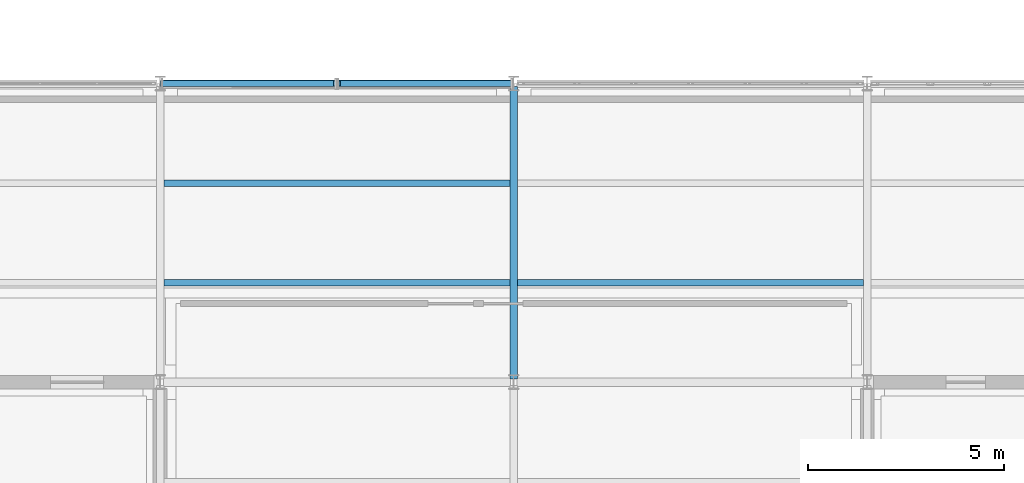
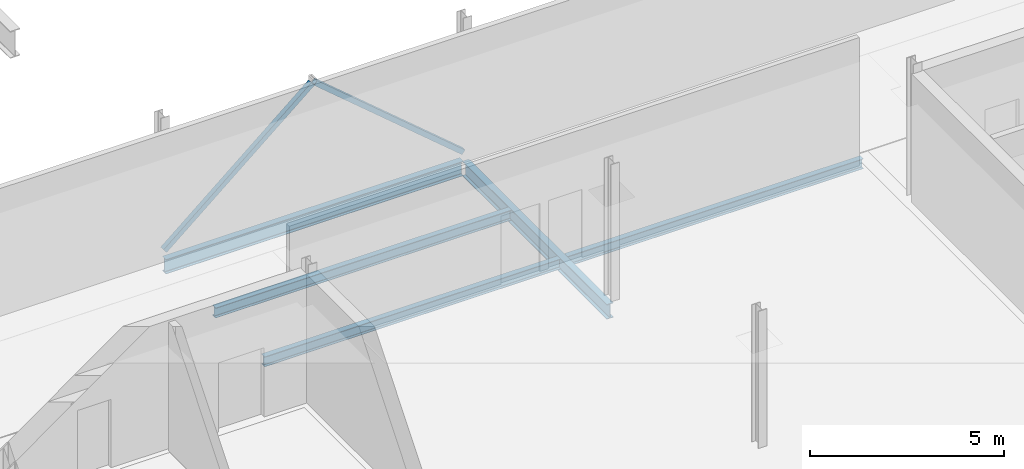
# One storey, part 25 of 96: 5 beams, 2 members.
"""IFC4 building model written with IfcOpenShell, lengths in metres."""

from ifc_helpers import new_model, si_unit, direction, frame, origin, origin_2d, place, context, subcontext, project, spatial, hollow_rectangle, i_section, extrude, material, material_profile, profile_set, type_object, element, save


model = new_model("IFC4")

# Units and contexts
model_context = context("Model", 3, precision=1e-05, world=origin(), true_north=direction((0.0, 1.0)))
body_context = subcontext(model_context, "Body", "Model", "MODEL_VIEW")
ifc_project = project(units=[si_unit("LENGTHUNIT", "METRE"), si_unit("AREAUNIT", "SQUARE_METRE"), si_unit("VOLUMEUNIT", "CUBIC_METRE"), si_unit("PLANEANGLEUNIT", "RADIAN"), si_unit("MASSUNIT", "GRAM", prefix="KILO")], contexts=[model_context])

# Site, building, storey
site_placement = place(None, origin())
site = spatial("IfcSite", under=ifc_project, at=site_placement, CompositionType="ELEMENT")
building_placement = place(site_placement, origin())
building = spatial("IfcBuilding", under=site, at=building_placement, Name="Caisbarro Railhouse Central Library", CompositionType="ELEMENT")
storey_placement = place(building_placement, frame((0.0, 0.0, 13.679931640625)))
storey = spatial("IfcBuildingStorey", under=building, at=storey_placement, Name="L03", CompositionType="ELEMENT", Elevation=13.679931640625)

# Beams
ifc_material = material(Name="Steel ASTM A572 Grade 50", Category="steel")
ifc_material_profile_1 = material_profile(ifc_material, i_section(OverallWidth=0.194091796875, OverallDepth=0.468994140625, WebThickness=0.0126953125, FlangeThickness=0.0205078125, FilletRadius=0.01806640625, at=origin_2d()), Name="W460X106.0")
ifc_profile_set_1 = profile_set([ifc_material_profile_1], Name="Steel ASTM A572 Grade 50")
beam_type_1 = type_object("IfcBeamType", Name="BM-G07", PredefinedType="BEAM", material=ifc_profile_set_1)
beam_1_placement = place(storey_placement, frame((81.0, 15.280029296875, -0.474365234375), z_axis=(0.0, 1.0, 0.0), x_axis=(-1.0, 0.0, 0.0)))
element("IfcBeam", 1, at=beam_1_placement, inside=storey, type_object=beam_type_1, Name="G07 beam L03 #1790", PredefinedType="BEAM", context=body_context, shape_type="SweptSolid", body=[
    extrude(i_section(OverallWidth=0.194091796875, OverallDepth=0.468994140625, WebThickness=0.0126953125, FlangeThickness=0.0205078125, FilletRadius=0.01806640625, at=origin_2d()), origin(), (0.0, 0.0, 1.0), 7.43994140625),
])
ifc_material_profile_2 = material_profile(ifc_material, i_section(OverallWidth=0.1669921875, OverallDepth=0.31689453125, WebThickness=0.007568359375, FlangeThickness=0.01318359375, FilletRadius=0.011962890625, at=origin_2d()), Name="W310X52.0")
ifc_profile_set_2 = profile_set([ifc_material_profile_2], Name="Steel ASTM A572 Grade 50")
beam_type_2 = type_object("IfcBeamType", Name="BM-J02", PredefinedType="JOIST", material=ifc_profile_set_2)
for number, where, z_axis, x_axis, name in (
    (2, (72.096923828125, 17.7333984375, -0.3984375), (1.0, 0.0, 0.0), (0.0, 1.0, 0.0), "J02 beam L03 #1812"),
    (3, (72.096923828125, 20.2666015625, -0.3984375), (1.0, 0.0, 0.0), (0.0, 1.0, 0.0), "J02 beam L03 #1813"),
    (4, (81.096923828125, 17.7333984375, -0.3984375), (1.0, 0.0, 0.0), (0.0, 1.0, 0.0), "J02 beam L03 #1818"),
):
    element("IfcBeam", number, at=place(storey_placement, frame(where, z_axis=z_axis, x_axis=x_axis)), inside=storey, type_object=beam_type_2, Name=name, PredefinedType="JOIST", context=body_context, shape_type="SweptSolid", body=[
        extrude(i_section(OverallWidth=0.1669921875, OverallDepth=0.31689453125, WebThickness=0.007568359375, FlangeThickness=0.01318359375, FilletRadius=0.011962890625, at=origin_2d()), origin(), (0.0, 0.0, 1.0), 8.80615234375),
    ])
ifc_material_profile_3 = material_profile(ifc_material, i_section(OverallWidth=0.18994140625, OverallDepth=0.45703125, WebThickness=0.009033203125, FlangeThickness=0.014404296875, FilletRadius=0.01806640625, at=origin_2d()), Name="W460X74.0")
ifc_profile_set_3 = profile_set([ifc_material_profile_3], Name="Steel ASTM A572 Grade 50")
beam_type_3 = type_object("IfcBeamType", Name="BM-SP01", PredefinedType="SPANDREL", material=ifc_profile_set_3)
beam_2_placement = place(storey_placement, frame((72.080078125, 22.800048828125, -0.468505859375), z_axis=(1.0, 0.0, 0.0), x_axis=(0.0, 1.0, 0.0)))
element("IfcBeam", 5, at=beam_2_placement, inside=storey, type_object=beam_type_3, Name="SP01 beam L03 #1775", PredefinedType="SPANDREL", context=body_context, shape_type="SweptSolid", body=[
    extrude(i_section(OverallWidth=0.18994140625, OverallDepth=0.45703125, WebThickness=0.009033203125, FlangeThickness=0.014404296875, FilletRadius=0.01806640625, at=origin_2d()), origin(), (0.0, 0.0, 1.0), 8.83984375),
])

# Members
ifc_material_profile_4 = material_profile(ifc_material, hollow_rectangle(XDim=0.14990234375, YDim=0.14990234375, WallThickness=0.010009765625, at=origin_2d()), Name="HSS150X150X10")
ifc_profile_set_4 = profile_set([ifc_material_profile_4], Name="Steel ASTM A572 Grade 50")
member_type = type_object("IfcMemberType", Name="MEM-BR02", PredefinedType="BRACE", material=ifc_profile_set_4)
for number, where, z_axis, x_axis, name in (
    (6, (72.06005859375, 22.800048828125, 0.02001953125), (0.76364499123, 0.0, 0.645636373952), (0.0, 1.0, 0.0), "BR02 chevron brace Y22-M L03.1"),
    (7, (80.93994140625, 22.800048828125, 0.02001953125), (-0.76364499123, 0.0, 0.645636373952), (0.0, -1.0, 0.0), "BR02 chevron brace Y22-M L03.2"),
):
    element("IfcMember", number, at=place(storey_placement, frame(where, z_axis=z_axis, x_axis=x_axis)), inside=storey, type_object=member_type, Name=name, PredefinedType="BRACE", context=body_context, shape_type="SweptSolid", body=[
        extrude(hollow_rectangle(XDim=0.14990234375, YDim=0.14990234375, WallThickness=0.010009765625, at=origin_2d()), origin(), (0.0, 0.0, 1.0), 5.76171875),
    ])

save(model, "model.ifc")
